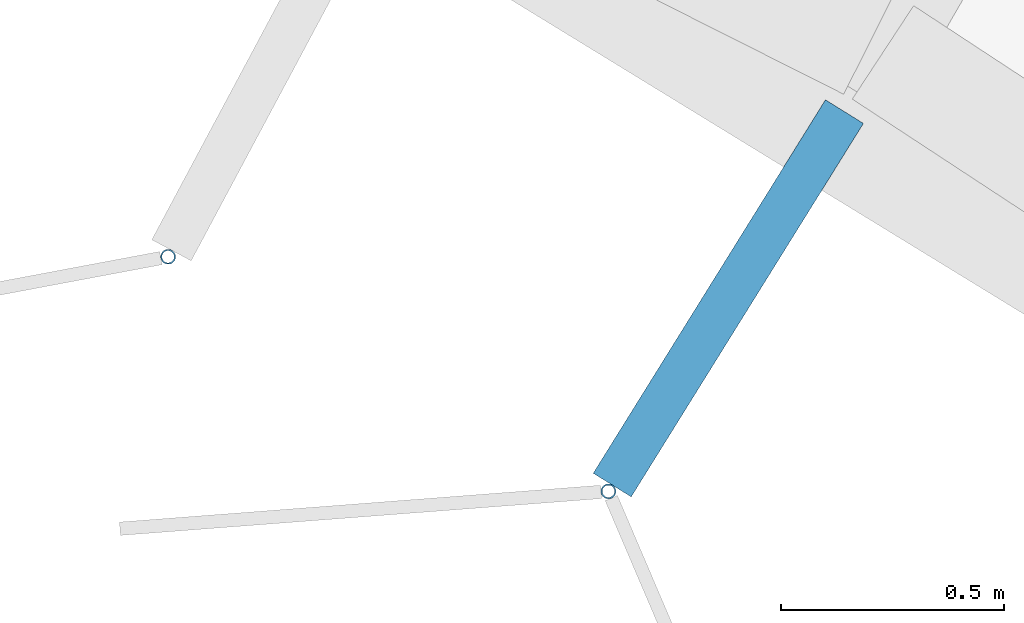
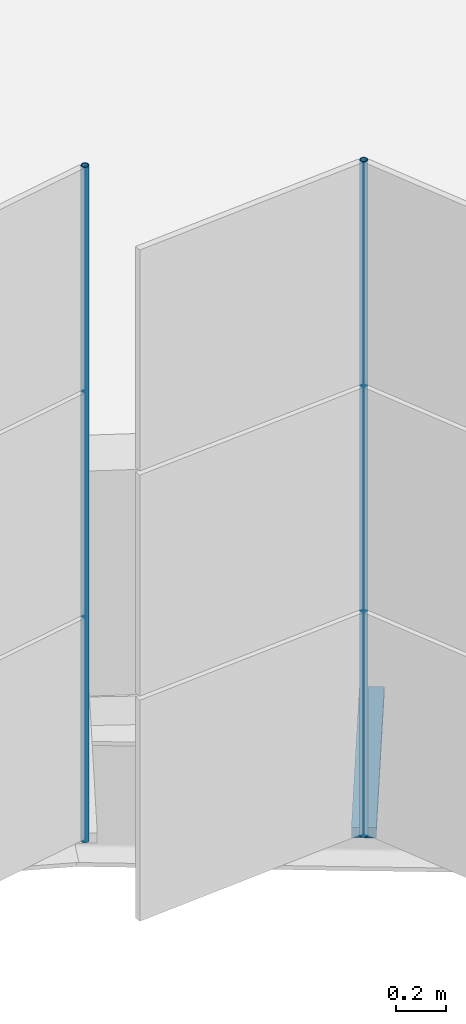
# One storey, part 125 of 214: 3 discrete accessories.
"""IFC4 building model written with IfcOpenShell, lengths in metres."""

from ifc_helpers import new_model, si_unit, direction, frame, origin, origin_2d, place, context, subcontext, project, spatial, rectangle, hollow_circle, extrude, material, material_profile, profile_set, type_object, element, save


model = new_model("IFC4")

# Units and contexts
model_context = context("Model", 3, precision=1e-05, world=origin(), true_north=direction((0.0, 1.0)))
body_context = subcontext(model_context, "Body", "Model", "MODEL_VIEW")
ifc_project = project(units=[si_unit("LENGTHUNIT", "METRE"), si_unit("AREAUNIT", "SQUARE_METRE"), si_unit("VOLUMEUNIT", "CUBIC_METRE"), si_unit("PLANEANGLEUNIT", "RADIAN"), si_unit("MASSUNIT", "GRAM", prefix="KILO")], contexts=[model_context])

# Site, building, storey
site_placement = place(None, origin())
site = spatial("IfcSite", under=ifc_project, at=site_placement, CompositionType="ELEMENT")
building_placement = place(site_placement, origin())
building = spatial("IfcBuilding", under=site, at=building_placement, Name="Parallax Yard Mobility Hub", CompositionType="ELEMENT")
storey_placement = place(building_placement, frame((0.0, 0.0, 3.300048828125)))
storey = spatial("IfcBuildingStorey", under=building, at=storey_placement, Name="L01", CompositionType="ELEMENT", Elevation=3.300048828125)

# Discrete accessories
ifc_material_1 = material(Name="Steel ASTM A36, hot-dip galvanised", Category="steel")
discrete_accessory_type_1 = type_object("IfcDiscreteAccessoryType", Name="Hinge bracket plate 100x50", PredefinedType="BRACKET", material=ifc_material_1)
discrete_accessory_placement = place(storey_placement, frame((183.498779296875, 109.06298828125, -0.02490234375), z_axis=(0.0, 0.0, 1.0), x_axis=(-0.52806785065, -0.849202181527, 0.0)))
element("IfcDiscreteAccessory", 1, at=discrete_accessory_placement, inside=storey, type_object=discrete_accessory_type_1, Name="Hinge bracket plate bay 19.5 level L01", PredefinedType="BRACKET", context=body_context, shape_type="SweptSolid", body=[
    extrude(rectangle(XDim=0.984130859375, YDim=0.10009765625, at=origin_2d()), origin(), (0.0, 0.0, 1.0), 0.050048828125),
])
ifc_material_2 = material(Name="Steel ASTM A500 Gr C, hot-dip galvanised", Category="steel")
ifc_material_profile = material_profile(ifc_material_2, hollow_circle(Radius=0.016845703125, WallThickness=0.003173828125, at=origin_2d()), Name="CHS 33.7x3.2")
ifc_profile_set = profile_set([ifc_material_profile], Name="Steel ASTM A500 Gr C, hot-dip galvanised")
discrete_accessory_type_2 = type_object("IfcDiscreteAccessoryType", Name="Hinge post CHS 33.7x3.2", PredefinedType="BRACKET", material=ifc_profile_set)
for number, where, z_axis, x_axis, name in (
    (2, (182.2451171875, 109.156005859375, 0.0), (0.0, 0.0, 1.0), (1.0, 0.0, 0.0), "Hinge post bay 19.4 level L01"),
    (3, (183.23046875, 108.631103515625, 0.0), (0.0, 0.0, 1.0), (1.0, 0.0, 0.0), "Hinge post bay 19.5 level L01"),
):
    element("IfcDiscreteAccessory", number, at=place(storey_placement, frame(where, z_axis=z_axis, x_axis=x_axis)), inside=storey, type_object=discrete_accessory_type_2, Name=name, PredefinedType="BRACKET", context=body_context, shape_type="SweptSolid", body=[
        extrude(hollow_circle(Radius=0.016845703125, WallThickness=0.003173828125, at=origin_2d()), origin(), (0.0, 0.0, 1.0), 3.300048828125),
    ])

save(model, "model.ifc")
